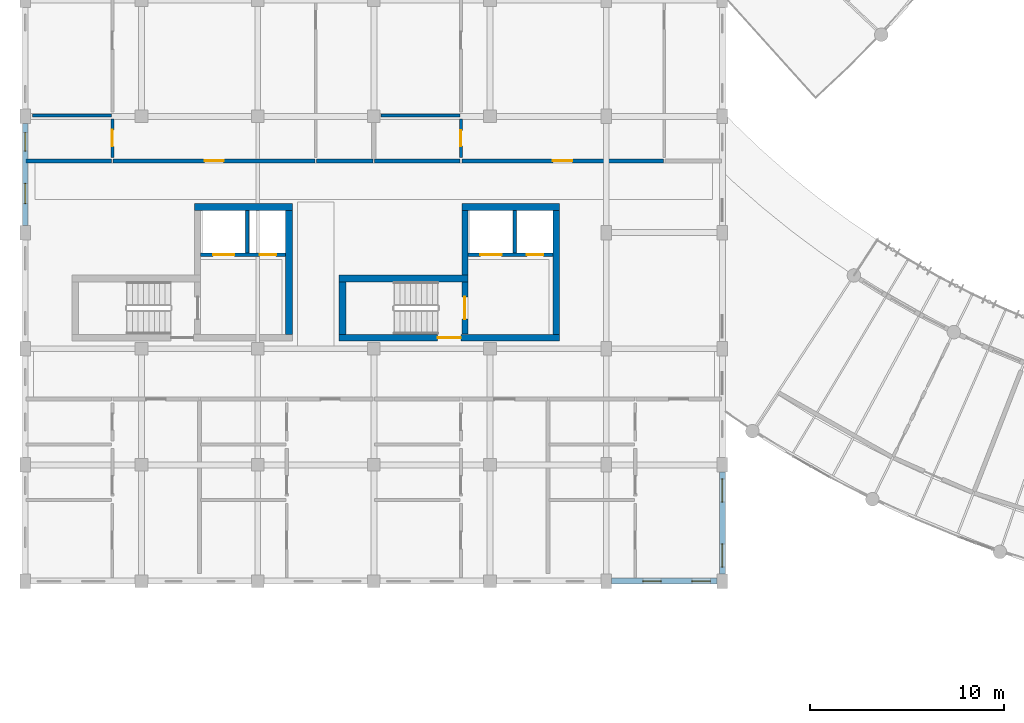
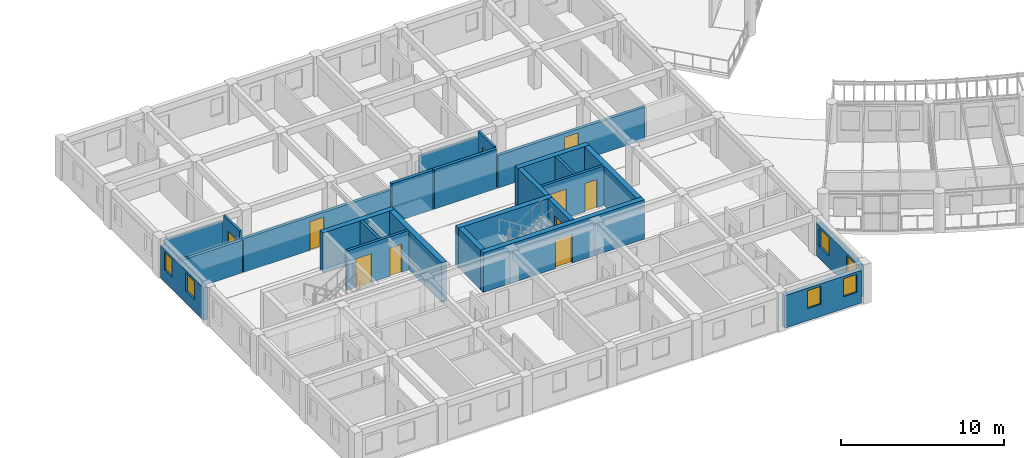
# One storey, part 76 of 123: 25 walls, 10 doors, 6 windows, 16 openings.
"""IFC4 building model written with IfcOpenShell, lengths in metres."""

from ifc_helpers import new_model, si_unit, direction, frame, frame_2d, origin, place, context, subcontext, project, spatial, rectangle, extrude, material, layer, layer_set, type_object, element, fill, save


model = new_model("IFC4")

# Units and contexts
model_context = context("Model", 3, precision=1e-05, world=origin(), true_north=direction((0.0, 1.0)))
body_context = subcontext(model_context, "Body", "Model", "MODEL_VIEW")
ifc_project = project(units=[si_unit("LENGTHUNIT", "METRE"), si_unit("AREAUNIT", "SQUARE_METRE"), si_unit("VOLUMEUNIT", "CUBIC_METRE"), si_unit("PLANEANGLEUNIT", "RADIAN"), si_unit("MASSUNIT", "GRAM", prefix="KILO"), si_unit("POWERUNIT", "WATT"), si_unit("THERMODYNAMICTEMPERATUREUNIT", "KELVIN")], contexts=[model_context])

# Site, building, storey
site_placement = place(None, origin())
site = spatial("IfcSite", under=ifc_project, at=site_placement, CompositionType="ELEMENT")
building_placement = place(site_placement, origin())
building = spatial("IfcBuilding", under=site, at=building_placement, Name="Ruvembo Vaulted Housing Court", CompositionType="ELEMENT")
storey_placement = place(building_placement, frame((0.0, 0.0, 7.699951171875)))
storey = spatial("IfcBuildingStorey", under=building, at=storey_placement, Name="L02", CompositionType="ELEMENT", Elevation=7.699951171875)

# Wall, opening, door
ifc_material_1 = material(Name="Concrete C35/45", Category="concrete")
ifc_layer_1 = layer(ifc_material_1, 0.300048828125, Name="Concrete C35/45")
ifc_layer_set_1 = layer_set([ifc_layer_1], Name="Concrete C35/45")
wall_type_1 = type_object("IfcWallType", Name="WL-CORE-300", PredefinedType="SHEAR", material=ifc_layer_set_1)
wall_1_placement = place(storey_placement, frame((22.699951171875, 18.75, 0.0), z_axis=(0.0, 0.0, 1.0), x_axis=(0.0, 1.0, 0.0)))
wall_1 = element("IfcWall", 1, at=wall_1_placement, inside=storey, type_object=wall_type_1, Name="Core A2 L02 Stair-Lobby Shear Wall", PredefinedType="SHEAR", context=body_context, shape_type="SweptSolid", body=[
    extrude(rectangle(XDim=2.699951171875, YDim=0.300048828125, at=frame_2d((1.35009765625, 0.0))), origin(), (0.0, 0.0, 1.0), 2.955078125),
])
opening_1_placement = place(wall_1_placement, frame((0.77490234375, 0.0, 0.0)))
opening_1 = element("IfcOpeningElement", 2, at=opening_1_placement, cuts=wall_1, Name="Opening SD1", PredefinedType="OPENING", context=body_context, shape_type="SweptSolid", body=[
    extrude(rectangle(XDim=1.14990234375, YDim=2.14990234375, at=frame_2d((0.574951171875, 1.074951171875))), frame((0.0, 0.159912109375, 0.0), z_axis=(0.0, -1.0, 0.0), x_axis=(1.0, 0.0, 0.0)), (0.0, 0.0, 1.0), 0.320068359375),
])
ifc_material_2 = material(Name="Galvanised Painted Steel", Category="steel")
door_type_1 = type_object("IfcDoorType", Name="DR-STAIR-1150x2150", OperationType="NOTDEFINED", PredefinedType="DOOR", material=ifc_material_2)
door_1_placement = place(opening_1_placement, origin())
door_1 = element("IfcDoor", 3, at=door_1_placement, inside=storey, type_object=door_type_1, Name="Stair ST-A2 L02 Fire Door", OperationType="SINGLE_SWING_LEFT", OverallHeight=2.14990234375, OverallWidth=1.14990234375, PredefinedType="DOOR", context=body_context, shape_type="SweptSolid", body=[
    extrude(rectangle(XDim=1.14990234375, YDim=2.14990234375, at=frame_2d((0.574951171875, 1.074951171875))), frame((0.0, 0.02490234375, 0.0), z_axis=(0.0, -1.0, 0.0), x_axis=(1.0, 0.0, 0.0)), (0.0, 0.0, 1.0), 0.050048828125),
])
fill(opening_1, door_1)

# Walls
wall_2_placement = place(storey_placement, frame((22.699951171875, 21.800048828125, 0.0), z_axis=(0.0, 0.0, 1.0), x_axis=(0.0, 1.0, 0.0)))
element("IfcWall", 4, at=wall_2_placement, inside=storey, type_object=wall_type_1, Name="Core A2 L02 Upper West Shear Wall", PredefinedType="SHEAR", context=body_context, shape_type="SweptSolid", body=[
    extrude(rectangle(XDim=3.349853515625, YDim=0.300048828125, at=frame_2d((1.6748046875, 0.0))), origin(), (0.0, 0.0, 1.0), 2.955078125),
])
ifc_layer_2 = layer(ifc_material_1, 0.35009765625, Name="Concrete C35/45")
ifc_layer_set_2 = layer_set([ifc_layer_2], Name="Concrete C35/45")
wall_type_2 = type_object("IfcWallType", Name="WL-CORE-350", PredefinedType="SHEAR", material=ifc_layer_set_2)
wall_3_placement = place(storey_placement, frame((13.800048828125, 25.324951171875, 0.0), z_axis=(0.0, 0.0, 1.0), x_axis=(-1.0, 0.0, 0.0)))
element("IfcWall", 5, at=wall_3_placement, inside=storey, type_object=wall_type_2, Name="Core A1 L02 North Shear Wall", PredefinedType="SHEAR", context=body_context, shape_type="SweptSolid", body=[
    extrude(rectangle(XDim=5.050048828125, YDim=0.35009765625, at=frame_2d((2.52490234375, 0.0))), origin(), (0.0, 0.0, 1.0), 2.955078125),
])
wall_4_placement = place(storey_placement, frame((13.625, 18.75, 0.0), z_axis=(0.0, 0.0, 1.0), x_axis=(0.0, 1.0, 0.0)))
element("IfcWall", 6, at=wall_4_placement, inside=storey, type_object=wall_type_2, Name="Core A1 L02 East Shear Wall", PredefinedType="SHEAR", context=body_context, shape_type="SweptSolid", body=[
    extrude(rectangle(XDim=6.39990234375, YDim=0.35009765625, at=frame_2d((3.199951171875, 0.0))), origin(), (0.0, 0.0, 1.0), 2.955078125),
])

# Wall, opening, door
wall_5_placement = place(storey_placement, frame((16.199951171875, 18.574951171875, 0.0), z_axis=(0.0, 0.0, 1.0), x_axis=(1.0, 0.0, 0.0)))
wall_5 = element("IfcWall", 7, at=wall_5_placement, inside=storey, type_object=wall_type_2, Name="Core A2 L02 South Shear Wall", PredefinedType="SHEAR", context=body_context, shape_type="SweptSolid", body=[
    extrude(rectangle(XDim=11.400146484375, YDim=0.35009765625, at=frame_2d((5.7001953125, 0.0))), origin(), (0.0, 0.0, 1.0), 2.955078125),
])
opening_2_placement = place(wall_5_placement, frame((5.10009765625, 0.0, 0.0)))
opening_2 = element("IfcOpeningElement", 8, at=opening_2_placement, cuts=wall_5, Name="Opening LD3", PredefinedType="OPENING", context=body_context, shape_type="SweptSolid", body=[
    extrude(rectangle(XDim=1.199951171875, YDim=2.14990234375, at=frame_2d((0.60009765625, 1.074951171875))), frame((0.0, 0.18505859375, 0.0), z_axis=(0.0, -1.0, 0.0), x_axis=(1.0, 0.0, 0.0)), (0.0, 0.0, 1.0), 0.3701171875),
])
door_type_2 = type_object("IfcDoorType", Name="DR-LOB-1200x2150", OperationType="NOTDEFINED", PredefinedType="DOOR", material=ifc_material_2)
door_2_placement = place(opening_2_placement, origin())
door_2 = element("IfcDoor", 9, at=door_2_placement, inside=storey, type_object=door_type_2, Name="Core A2 L02 Lobby Fire Door", OperationType="SINGLE_SWING_RIGHT", OverallHeight=2.14990234375, OverallWidth=1.199951171875, PredefinedType="DOOR", context=body_context, shape_type="SweptSolid", body=[
    extrude(rectangle(XDim=1.199951171875, YDim=2.14990234375, at=frame_2d((0.60009765625, 1.074951171875))), frame((0.0, 0.02490234375, 0.0), z_axis=(0.0, -1.0, 0.0), x_axis=(1.0, 0.0, 0.0)), (0.0, 0.0, 1.0), 0.050048828125),
])
fill(opening_2, door_2)

# Walls
wall_6_placement = place(storey_placement, frame((22.85009765625, 21.625, 0.0), z_axis=(0.0, 0.0, 1.0), x_axis=(-1.0, 0.0, 0.0)))
element("IfcWall", 10, at=wall_6_placement, inside=storey, type_object=wall_type_2, Name="Core A2 L02 Stair North Shear Wall", PredefinedType="SHEAR", context=body_context, shape_type="SweptSolid", body=[
    extrude(rectangle(XDim=6.650146484375, YDim=0.35009765625, at=frame_2d((3.3251953125, 0.0))), origin(), (0.0, 0.0, 1.0), 2.955078125),
])
wall_7_placement = place(storey_placement, frame((16.375, 21.449951171875, 0.0), z_axis=(0.0, 0.0, 1.0), x_axis=(0.0, -1.0, 0.0)))
element("IfcWall", 11, at=wall_7_placement, inside=storey, type_object=wall_type_2, Name="Core A2 L02 Stair West Shear Wall", PredefinedType="SHEAR", context=body_context, shape_type="SweptSolid", body=[
    extrude(rectangle(XDim=2.699951171875, YDim=0.35009765625, at=frame_2d((1.35009765625, 0.0))), origin(), (0.0, 0.0, 1.0), 2.955078125),
])
wall_8_placement = place(storey_placement, frame((27.60009765625, 25.324951171875, 0.0), z_axis=(0.0, 0.0, 1.0), x_axis=(-1.0, 0.0, 0.0)))
element("IfcWall", 12, at=wall_8_placement, inside=storey, type_object=wall_type_2, Name="Core A2 L02 North Shear Wall", PredefinedType="SHEAR", context=body_context, shape_type="SweptSolid", body=[
    extrude(rectangle(XDim=5.050048828125, YDim=0.35009765625, at=frame_2d((2.52490234375, 0.0))), origin(), (0.0, 0.0, 1.0), 2.955078125),
])
wall_9_placement = place(storey_placement, frame((27.425048828125, 18.75, 0.0), z_axis=(0.0, 0.0, 1.0), x_axis=(0.0, 1.0, 0.0)))
element("IfcWall", 13, at=wall_9_placement, inside=storey, type_object=wall_type_2, Name="Core A2 L02 East Shear Wall", PredefinedType="SHEAR", context=body_context, shape_type="SweptSolid", body=[
    extrude(rectangle(XDim=6.39990234375, YDim=0.35009765625, at=frame_2d((3.199951171875, 0.0))), origin(), (0.0, 0.0, 1.0), 2.955078125),
])
ifc_material_3 = material(Name="Concrete Blockwork 210", Category="masonry")
ifc_layer_3 = layer(ifc_material_3, 0.2099609375, Name="Concrete Blockwork 210")
ifc_layer_set_3 = layer_set([ifc_layer_3], Name="Concrete Blockwork 210")
wall_type_3 = type_object("IfcWallType", Name="WL-CORR-210", PredefinedType="SOLIDWALL", material=ifc_layer_set_3)
wall_10_placement = place(storey_placement, frame((0.0400390625, 27.699951171875, 0.0), z_axis=(0.0, 0.0, 1.0), x_axis=(1.0, 0.0, 0.0)))
element("IfcWall", 14, at=wall_10_placement, inside=storey, type_object=wall_type_3, Name="L02 Flat A-L02-N1 Corridor Wall WL-INT-L02-00514", PredefinedType="SOLIDWALL", context=body_context, shape_type="SweptSolid", body=[
    extrude(rectangle(XDim=4.419921875, YDim=0.2099609375, at=frame_2d((2.2099609375, 0.0))), origin(), (0.0, 0.0, 1.0), 2.43701171875),
])

# Wall, opening, door
wall_11_placement = place(storey_placement, frame((4.5400390625, 27.699951171875, 0.0), z_axis=(0.0, 0.0, 1.0), x_axis=(1.0, 0.0, 0.0)))
wall_11 = element("IfcWall", 15, at=wall_11_placement, inside=storey, type_object=wall_type_3, Name="L02 Flat A-L02-N1 Entrance WL-INT-L02-00515", PredefinedType="SOLIDWALL", context=body_context, shape_type="SweptSolid", body=[
    extrude(rectangle(XDim=10.419921875, YDim=0.2099609375, at=frame_2d((5.2099609375, 0.0))), origin(), (0.0, 0.0, 1.0), 2.508056640625),
])
opening_3_placement = place(wall_11_placement, frame((4.719970703125, 0.0, 0.0)))
opening_3 = element("IfcOpeningElement", 16, at=opening_3_placement, cuts=wall_11, Name="Opening FD2", PredefinedType="OPENING", context=body_context, shape_type="SweptSolid", body=[
    extrude(rectangle(XDim=0.97998046875, YDim=2.14990234375, at=frame_2d((0.489990234375, 1.074951171875))), frame((0.0, 0.114990234375, 0.0), z_axis=(0.0, -1.0, 0.0), x_axis=(1.0, 0.0, 0.0)), (0.0, 0.0, 1.0), 0.22998046875),
])
ifc_material_4 = material(Name="FSC Hardwood and Engineered Timber", Category="wood")
door_type_3 = type_object("IfcDoorType", Name="DR-FLAT-0980x2150", OperationType="NOTDEFINED", PredefinedType="DOOR", material=ifc_material_4)
door_3_placement = place(opening_3_placement, origin())
door_3 = element("IfcDoor", 17, at=door_3_placement, inside=storey, type_object=door_type_3, Name="L02 Flat A-L02-N1 Entrance Door DR-INT-L02-00280", OperationType="SINGLE_SWING_RIGHT", OverallHeight=2.14990234375, OverallWidth=0.97998046875, PredefinedType="DOOR", context=body_context, shape_type="SweptSolid", body=[
    extrude(rectangle(XDim=0.97998046875, YDim=2.14990234375, at=frame_2d((0.489990234375, 1.074951171875))), frame((0.0, 0.02490234375, 0.0), z_axis=(0.0, -1.0, 0.0), x_axis=(1.0, 0.0, 0.0)), (0.0, 0.0, 1.0), 0.050048828125),
])
fill(opening_3, door_3)

# Walls
wall_12_placement = place(storey_placement, frame((15.0400390625, 27.699951171875, 0.0), z_axis=(0.0, 0.0, 1.0), x_axis=(1.0, 0.0, 0.0)))
element("IfcWall", 18, at=wall_12_placement, inside=storey, type_object=wall_type_3, Name="L02 Flat A-L02-N1 Corridor Wall 2 WL-INT-L02-00521", PredefinedType="SOLIDWALL", context=body_context, shape_type="SweptSolid", body=[
    extrude(rectangle(XDim=2.919921875, YDim=0.2099609375, at=frame_2d((1.4599609375, 0.0))), origin(), (0.0, 0.0, 1.0), 2.955078125),
])
wall_13_placement = place(storey_placement, frame((18.0400390625, 27.699951171875, 0.0), z_axis=(0.0, 0.0, 1.0), x_axis=(1.0, 0.0, 0.0)))
element("IfcWall", 19, at=wall_13_placement, inside=storey, type_object=wall_type_3, Name="L02 Flat A-L02-N2 Corridor Wall WL-INT-L02-00523", PredefinedType="SOLIDWALL", context=body_context, shape_type="SweptSolid", body=[
    extrude(rectangle(XDim=4.419921875, YDim=0.2099609375, at=frame_2d((2.2099609375, 0.0))), origin(), (0.0, 0.0, 1.0), 2.955078125),
])

# Wall, opening, door
wall_14_placement = place(storey_placement, frame((22.5400390625, 27.699951171875, 0.0), z_axis=(0.0, 0.0, 1.0), x_axis=(1.0, 0.0, 0.0)))
wall_14 = element("IfcWall", 20, at=wall_14_placement, inside=storey, type_object=wall_type_3, Name="L02 Flat A-L02-N2 Entrance WL-INT-L02-00524", PredefinedType="SOLIDWALL", context=body_context, shape_type="SweptSolid", body=[
    extrude(rectangle(XDim=10.419921875, YDim=0.2099609375, at=frame_2d((5.2099609375, 0.0))), origin(), (0.0, 0.0, 1.0), 2.43701171875),
])
opening_4_placement = place(wall_14_placement, frame((4.7099609375, 0.0, 0.0)))
opening_4 = element("IfcOpeningElement", 21, at=opening_4_placement, cuts=wall_14, Name="Opening FD1", PredefinedType="OPENING", context=body_context, shape_type="SweptSolid", body=[
    extrude(rectangle(XDim=1.0, YDim=2.14990234375, at=frame_2d((0.5, 1.074951171875))), frame((0.0, 0.114990234375, 0.0), z_axis=(0.0, -1.0, 0.0), x_axis=(1.0, 0.0, 0.0)), (0.0, 0.0, 1.0), 0.22998046875),
])
door_type_4 = type_object("IfcDoorType", Name="DR-FLAT-1000x2150", OperationType="NOTDEFINED", PredefinedType="DOOR", material=ifc_material_4)
door_4_placement = place(opening_4_placement, origin())
door_4 = element("IfcDoor", 22, at=door_4_placement, inside=storey, type_object=door_type_4, Name="L02 Flat A-L02-N2 Entrance Door DR-INT-L02-00285", OperationType="SINGLE_SWING_LEFT", OverallHeight=2.14990234375, OverallWidth=1.0, PredefinedType="DOOR", context=body_context, shape_type="SweptSolid", body=[
    extrude(rectangle(XDim=1.0, YDim=2.14990234375, at=frame_2d((0.5, 1.074951171875))), frame((0.0, 0.02490234375, 0.0), z_axis=(0.0, -1.0, 0.0), x_axis=(1.0, 0.0, 0.0)), (0.0, 0.0, 1.0), 0.050048828125),
])
fill(opening_4, door_4)

# Wall, openings, windows
ifc_material_5 = material(Name="Rendered Masonry 300", Category="masonry")
ifc_layer_4 = layer(ifc_material_5, 0.300048828125, Name="Rendered Masonry 300")
ifc_layer_set_4 = layer_set([ifc_layer_4], Name="Rendered Masonry 300")
wall_type_4 = type_object("IfcWallType", Name="WL-EXT-300", PredefinedType="STANDARD", material=ifc_layer_set_4)
wall_15_placement = place(storey_placement, frame((30.27490234375, 6.0, 0.0), z_axis=(0.0, 0.0, 1.0), x_axis=(1.0, 0.0, 0.0)))
wall_15 = element("IfcWall", 23, at=wall_15_placement, inside=storey, type_object=wall_type_4, Name="Block A L02 Exterior Wall STREET #6", PredefinedType="STANDARD", context=body_context, shape_type="SweptSolid", body=[
    extrude(rectangle(XDim=5.4501953125, YDim=0.300048828125, at=frame_2d((2.72509765625, 0.0))), origin(), (0.0, 0.0, 1.0), 2.43701171875),
])
opening_5_placement = place(wall_15_placement, frame((1.614990234375, 0.0, 0.89990234375)))
opening_5 = element("IfcOpeningElement", 24, at=opening_5_placement, cuts=wall_15, Name="Opening W07", PredefinedType="OPENING", context=body_context, shape_type="SweptSolid", body=[
    extrude(rectangle(XDim=0.949951171875, YDim=1.35009765625, at=frame_2d((0.47509765625, 0.675048828125))), frame((0.0, 0.159912109375, 0.0), z_axis=(0.0, -1.0, 0.0), x_axis=(1.0, 0.0, 0.0)), (0.0, 0.0, 1.0), 0.320068359375),
])
opening_6_placement = place(wall_15_placement, frame((4.14990234375, 0.0, 0.89990234375)))
opening_6 = element("IfcOpeningElement", 25, at=opening_6_placement, cuts=wall_15, Name="Opening W07", PredefinedType="OPENING", context=body_context, shape_type="SweptSolid", body=[
    extrude(rectangle(XDim=0.949951171875, YDim=1.35009765625, at=frame_2d((0.47509765625, 0.675048828125))), frame((0.0, 0.159912109375, 0.0), z_axis=(0.0, -1.0, 0.0), x_axis=(1.0, 0.0, 0.0)), (0.0, 0.0, 1.0), 0.320068359375),
])
ifc_material_6 = material(Name="Double Solar-Control Glazing in Aluminium Frame", Category="aluminium")
window_type_1 = type_object("IfcWindowType", Name="WIN-0950x1350", PartitioningType="SINGLE_PANEL", PredefinedType="WINDOW", material=ifc_material_6)
window_1_placement = place(opening_5_placement, origin())
window_1 = element("IfcWindow", 26, at=window_1_placement, inside=storey, type_object=window_type_1, Name="Block A L02 Window #93", OverallHeight=1.35009765625, OverallWidth=0.949951171875, PartitioningType="SINGLE_PANEL", PredefinedType="WINDOW", context=body_context, shape_type="SweptSolid", body=[
    extrude(rectangle(XDim=0.949951171875, YDim=1.35009765625, at=frame_2d((0.47509765625, 0.675048828125))), frame((0.0, 0.030029296875, 0.0), z_axis=(0.0, -1.0, 0.0), x_axis=(1.0, 0.0, 0.0)), (0.0, 0.0, 1.0), 0.06005859375),
])
fill(opening_5, window_1)
window_2_placement = place(opening_6_placement, origin())
window_2 = element("IfcWindow", 27, at=window_2_placement, inside=storey, type_object=window_type_1, Name="Block A L02 Window #94", OverallHeight=1.35009765625, OverallWidth=0.949951171875, PartitioningType="SINGLE_PANEL", PredefinedType="WINDOW", context=body_context, shape_type="SweptSolid", body=[
    extrude(rectangle(XDim=0.949951171875, YDim=1.35009765625, at=frame_2d((0.47509765625, 0.675048828125))), frame((0.0, 0.030029296875, 0.0), z_axis=(0.0, -1.0, 0.0), x_axis=(1.0, 0.0, 0.0)), (0.0, 0.0, 1.0), 0.06005859375),
])
fill(opening_6, window_2)

wall_16_placement = place(storey_placement, frame((36.0, 6.375, 0.0), z_axis=(0.0, 0.0, 1.0), x_axis=(0.0, 1.0, 0.0)))
wall_16 = element("IfcWall", 28, at=wall_16_placement, inside=storey, type_object=wall_type_4, Name="Block A L02 Exterior Wall EAST #1", PredefinedType="STANDARD", context=body_context, shape_type="SweptSolid", body=[
    extrude(rectangle(XDim=5.25, YDim=0.300048828125, at=frame_2d((2.625, 0.0))), origin(), (0.0, 0.0, 1.0), 2.43701171875),
])
opening_7_placement = place(wall_16_placement, frame((0.35009765625, 0.0, 0.89990234375)))
opening_7 = element("IfcOpeningElement", 29, at=opening_7_placement, cuts=wall_16, Name="Opening W12", PredefinedType="OPENING", context=body_context, shape_type="SweptSolid", body=[
    extrude(rectangle(XDim=1.199951171875, YDim=1.35009765625, at=frame_2d((0.60009765625, 0.675048828125))), frame((0.0, 0.159912109375, 0.0), z_axis=(0.0, -1.0, 0.0), x_axis=(1.0, 0.0, 0.0)), (0.0, 0.0, 1.0), 0.320068359375),
])
opening_8_placement = place(wall_16_placement, frame((3.699951171875, 0.0, 0.89990234375)))
opening_8 = element("IfcOpeningElement", 30, at=opening_8_placement, cuts=wall_16, Name="Opening W12", PredefinedType="OPENING", context=body_context, shape_type="SweptSolid", body=[
    extrude(rectangle(XDim=1.199951171875, YDim=1.35009765625, at=frame_2d((0.60009765625, 0.675048828125))), frame((0.0, 0.159912109375, 0.0), z_axis=(0.0, -1.0, 0.0), x_axis=(1.0, 0.0, 0.0)), (0.0, 0.0, 1.0), 0.320068359375),
])
window_type_2 = type_object("IfcWindowType", Name="WIN-1200x1350", PartitioningType="SINGLE_PANEL", PredefinedType="WINDOW", material=ifc_material_6)
window_3_placement = place(opening_7_placement, origin())
window_3 = element("IfcWindow", 31, at=window_3_placement, inside=storey, type_object=window_type_2, Name="Block A L02 Window #95", OverallHeight=1.35009765625, OverallWidth=1.199951171875, PartitioningType="SINGLE_PANEL", PredefinedType="WINDOW", context=body_context, shape_type="SweptSolid", body=[
    extrude(rectangle(XDim=1.199951171875, YDim=1.35009765625, at=frame_2d((0.60009765625, 0.675048828125))), frame((0.0, 0.030029296875, 0.0), z_axis=(0.0, -1.0, 0.0), x_axis=(1.0, 0.0, 0.0)), (0.0, 0.0, 1.0), 0.06005859375),
])
fill(opening_7, window_3)
window_4_placement = place(opening_8_placement, origin())
window_4 = element("IfcWindow", 32, at=window_4_placement, inside=storey, type_object=window_type_2, Name="Block A L02 Window #96", OverallHeight=1.35009765625, OverallWidth=1.199951171875, PartitioningType="SINGLE_PANEL", PredefinedType="WINDOW", context=body_context, shape_type="SweptSolid", body=[
    extrude(rectangle(XDim=1.199951171875, YDim=1.35009765625, at=frame_2d((0.60009765625, 0.675048828125))), frame((0.0, 0.030029296875, 0.0), z_axis=(0.0, -1.0, 0.0), x_axis=(1.0, 0.0, 0.0)), (0.0, 0.0, 1.0), 0.06005859375),
])
fill(opening_8, window_4)

wall_17_placement = place(storey_placement, frame((0.0, 29.625, 0.0), z_axis=(0.0, 0.0, 1.0), x_axis=(0.0, -1.0, 0.0)))
wall_17 = element("IfcWall", 33, at=wall_17_placement, inside=storey, type_object=wall_type_4, Name="Block A L02 Exterior Wall WEST #3", PredefinedType="STANDARD", context=body_context, shape_type="SweptSolid", body=[
    extrude(rectangle(XDim=5.25, YDim=0.300048828125, at=frame_2d((2.625, 0.0))), origin(), (0.0, 0.0, 1.0), 2.43701171875),
])
opening_9_placement = place(wall_17_placement, frame((0.467529296875, 0.0, 0.89990234375)))
opening_9 = element("IfcOpeningElement", 34, at=opening_9_placement, cuts=wall_17, Name="Opening W07", PredefinedType="OPENING", context=body_context, shape_type="SweptSolid", body=[
    extrude(rectangle(XDim=0.949951171875, YDim=1.35009765625, at=frame_2d((0.47509765625, 0.675048828125))), frame((0.0, 0.159912109375, 0.0), z_axis=(0.0, -1.0, 0.0), x_axis=(1.0, 0.0, 0.0)), (0.0, 0.0, 1.0), 0.320068359375),
])
opening_10_placement = place(wall_17_placement, frame((3.08251953125, 0.0, 0.89990234375)))
opening_10 = element("IfcOpeningElement", 35, at=opening_10_placement, cuts=wall_17, Name="Opening W09", PredefinedType="OPENING", context=body_context, shape_type="SweptSolid", body=[
    extrude(rectangle(XDim=1.050048828125, YDim=1.35009765625, at=frame_2d((0.52490234375, 0.675048828125))), frame((0.0, 0.159912109375, 0.0), z_axis=(0.0, -1.0, 0.0), x_axis=(1.0, 0.0, 0.0)), (0.0, 0.0, 1.0), 0.320068359375),
])
window_5_placement = place(opening_9_placement, origin())
window_5 = element("IfcWindow", 36, at=window_5_placement, inside=storey, type_object=window_type_1, Name="Block A L02 Window #117", OverallHeight=1.35009765625, OverallWidth=0.949951171875, PartitioningType="SINGLE_PANEL", PredefinedType="WINDOW", context=body_context, shape_type="SweptSolid", body=[
    extrude(rectangle(XDim=0.949951171875, YDim=1.35009765625, at=frame_2d((0.47509765625, 0.675048828125))), frame((0.0, 0.030029296875, 0.0), z_axis=(0.0, -1.0, 0.0), x_axis=(1.0, 0.0, 0.0)), (0.0, 0.0, 1.0), 0.06005859375),
])
fill(opening_9, window_5)
window_type_3 = type_object("IfcWindowType", Name="WIN-1050x1350", PartitioningType="SINGLE_PANEL", PredefinedType="WINDOW", material=ifc_material_6)
window_6_placement = place(opening_10_placement, origin())
window_6 = element("IfcWindow", 37, at=window_6_placement, inside=storey, type_object=window_type_3, Name="Block A L02 Window #118", OverallHeight=1.35009765625, OverallWidth=1.050048828125, PartitioningType="SINGLE_PANEL", PredefinedType="WINDOW", context=body_context, shape_type="SweptSolid", body=[
    extrude(rectangle(XDim=1.050048828125, YDim=1.35009765625, at=frame_2d((0.52490234375, 0.675048828125))), frame((0.0, 0.030029296875, 0.0), z_axis=(0.0, -1.0, 0.0), x_axis=(1.0, 0.0, 0.0)), (0.0, 0.0, 1.0), 0.06005859375),
])
fill(opening_10, window_6)

# Wall, opening, door
ifc_material_7 = material(Name="Moisture-Resistant Wet Partition 150", Category="gypsum")
ifc_layer_5 = layer(ifc_material_7, 0.14990234375, Name="Moisture-Resistant Wet Partition 150")
ifc_layer_set_5 = layer_set([ifc_layer_5], Name="Moisture-Resistant Wet Partition 150")
wall_type_5 = type_object("IfcWallType", Name="WL-PART-150", PredefinedType="PARTITIONING", material=ifc_layer_set_5)
wall_18_placement = place(storey_placement, frame((4.5, 27.889892578125, 0.0), z_axis=(0.0, 0.0, 1.0), x_axis=(0.0, 1.0, 0.0)))
wall_18 = element("IfcWall", 38, at=wall_18_placement, inside=storey, type_object=wall_type_5, Name="L02 Flat A-L02-N1 Bathroom WL-INT-L02-00518", PredefinedType="PARTITIONING", context=body_context, shape_type="SweptSolid", body=[
    extrude(rectangle(XDim=1.97021484375, YDim=0.14990234375, at=frame_2d((0.985107421875, 0.0))), origin(), (0.0, 0.0, 1.0), 2.955078125),
])
opening_11_placement = place(wall_18_placement, frame((0.56005859375, 0.0, 0.0)))
opening_11 = element("IfcOpeningElement", 39, at=opening_11_placement, cuts=wall_18, Name="Opening ID2", PredefinedType="OPENING", context=body_context, shape_type="SweptSolid", body=[
    extrude(rectangle(XDim=0.85009765625, YDim=2.10009765625, at=frame_2d((0.425048828125, 1.050048828125))), frame((0.0, 0.0849609375, 0.0), z_axis=(0.0, -1.0, 0.0), x_axis=(1.0, 0.0, 0.0)), (0.0, 0.0, 1.0), 0.169921875),
])
door_type_5 = type_object("IfcDoorType", Name="DR-WET-0850x2100", OperationType="NOTDEFINED", PredefinedType="DOOR", material=ifc_material_4)
door_5_placement = place(opening_11_placement, origin())
door_5 = element("IfcDoor", 40, at=door_5_placement, inside=storey, type_object=door_type_5, Name="L02 Flat A-L02-N1 Bathroom Door DR-INT-L02-00283", OperationType="SINGLE_SWING_LEFT", OverallHeight=2.10009765625, OverallWidth=0.85009765625, PredefinedType="DOOR", context=body_context, shape_type="SweptSolid", body=[
    extrude(rectangle(XDim=0.85009765625, YDim=2.10009765625, at=frame_2d((0.425048828125, 1.050048828125))), frame((0.0, 0.02490234375, 0.0), z_axis=(0.0, -1.0, 0.0), x_axis=(1.0, 0.0, 0.0)), (0.0, 0.0, 1.0), 0.050048828125),
])
fill(opening_11, door_5)

# Wall
wall_19_placement = place(storey_placement, frame((0.360107421875, 30.050048828125, 0.0), z_axis=(0.0, 0.0, 1.0), x_axis=(1.0, 0.0, 0.0)))
element("IfcWall", 41, at=wall_19_placement, inside=storey, type_object=wall_type_5, Name="L02 Flat A-L02-N1 Wet Wall 2 WL-INT-L02-00520", PredefinedType="PARTITIONING", context=body_context, shape_type="SweptSolid", body=[
    extrude(rectangle(XDim=4.099853515625, YDim=0.14990234375, at=frame_2d((2.0498046875, 0.0))), origin(), (0.0, 0.0, 1.0), 2.43701171875),
])

# Wall, opening, door
wall_20_placement = place(storey_placement, frame((22.5, 27.889892578125, 0.0), z_axis=(0.0, 0.0, 1.0), x_axis=(0.0, 1.0, 0.0)))
wall_20 = element("IfcWall", 42, at=wall_20_placement, inside=storey, type_object=wall_type_5, Name="L02 Flat A-L02-N2 Bathroom WL-INT-L02-00527", PredefinedType="PARTITIONING", context=body_context, shape_type="SweptSolid", body=[
    extrude(rectangle(XDim=1.97021484375, YDim=0.14990234375, at=frame_2d((0.985107421875, 0.0))), origin(), (0.0, 0.0, 1.0), 2.955078125),
])
opening_12_placement = place(wall_20_placement, frame((0.574951171875, 0.0, 0.0)))
opening_12 = element("IfcOpeningElement", 43, at=opening_12_placement, cuts=wall_20, Name="Opening ID4", PredefinedType="OPENING", context=body_context, shape_type="SweptSolid", body=[
    extrude(rectangle(XDim=0.820068359375, YDim=2.080078125, at=frame_2d((0.41015625, 1.0400390625))), frame((0.0, 0.0849609375, 0.0), z_axis=(0.0, -1.0, 0.0), x_axis=(1.0, 0.0, 0.0)), (0.0, 0.0, 1.0), 0.169921875),
])
door_type_6 = type_object("IfcDoorType", Name="DR-WET-0820x2080", OperationType="NOTDEFINED", PredefinedType="DOOR", material=ifc_material_4)
door_6_placement = place(opening_12_placement, origin())
door_6 = element("IfcDoor", 44, at=door_6_placement, inside=storey, type_object=door_type_6, Name="L02 Flat A-L02-N2 Bathroom Door DR-INT-L02-00288", OperationType="SINGLE_SWING_RIGHT", OverallHeight=2.080078125, OverallWidth=0.820068359375, PredefinedType="DOOR", context=body_context, shape_type="SweptSolid", body=[
    extrude(rectangle(XDim=0.820068359375, YDim=2.080078125, at=frame_2d((0.41015625, 1.0400390625))), frame((0.0, 0.02490234375, 0.0), z_axis=(0.0, -1.0, 0.0), x_axis=(1.0, 0.0, 0.0)), (0.0, 0.0, 1.0), 0.050048828125),
])
fill(opening_12, door_6)

# Wall
wall_21_placement = place(storey_placement, frame((18.360107421875, 30.050048828125, 0.0), z_axis=(0.0, 0.0, 1.0), x_axis=(1.0, 0.0, 0.0)))
element("IfcWall", 45, at=wall_21_placement, inside=storey, type_object=wall_type_5, Name="L02 Flat A-L02-N2 Wet Wall 2 WL-INT-L02-00529", PredefinedType="PARTITIONING", context=body_context, shape_type="SweptSolid", body=[
    extrude(rectangle(XDim=4.099853515625, YDim=0.14990234375, at=frame_2d((2.0498046875, 0.0))), origin(), (0.0, 0.0, 1.0), 2.43701171875),
])

# Wall, openings, doors
ifc_material_8 = material(Name="Fire-Rated Masonry Shaft 180", Category="masonry")
ifc_layer_6 = layer(ifc_material_8, 0.179931640625, Name="Fire-Rated Masonry Shaft 180")
ifc_layer_set_6 = layer_set([ifc_layer_6], Name="Fire-Rated Masonry Shaft 180")
wall_type_6 = type_object("IfcWallType", Name="WL-SHAFT-180", PredefinedType="SOLIDWALL", material=ifc_layer_set_6)
wall_22_placement = place(storey_placement, frame((9.050048828125, 22.85009765625, 0.0), z_axis=(0.0, 0.0, 1.0), x_axis=(1.0, 0.0, 0.0)))
wall_22 = element("IfcWall", 46, at=wall_22_placement, inside=storey, type_object=wall_type_6, Name="Core A1 L02 Lift and Riser Front Wall", PredefinedType="SOLIDWALL", context=body_context, shape_type="SweptSolid", body=[
    extrude(rectangle(XDim=4.39990234375, YDim=0.179931640625, at=frame_2d((2.199951171875, 0.0))), origin(), (0.0, 0.0, 1.0), 2.955078125),
])
opening_13_placement = place(wall_22_placement, frame((0.64990234375, 0.0, 0.0)))
opening_13 = element("IfcOpeningElement", 47, at=opening_13_placement, cuts=wall_22, Name="Opening LD-FL-A1-L02", PredefinedType="OPENING", context=body_context, shape_type="SweptSolid", body=[
    extrude(rectangle(XDim=1.10009765625, YDim=2.14990234375, at=frame_2d((0.550048828125, 1.074951171875))), frame((0.0, 0.099853515625, 0.0), z_axis=(0.0, -1.0, 0.0), x_axis=(1.0, 0.0, 0.0)), (0.0, 0.0, 1.0), 0.199951171875),
])
opening_14_placement = place(wall_22_placement, frame((3.050048828125, 0.0, 0.0)))
opening_14 = element("IfcOpeningElement", 48, at=opening_14_placement, cuts=wall_22, Name="Opening RD1", PredefinedType="OPENING", context=body_context, shape_type="SweptSolid", body=[
    extrude(rectangle(XDim=0.85009765625, YDim=2.10009765625, at=frame_2d((0.425048828125, 1.050048828125))), frame((0.0, 0.099853515625, 0.0), z_axis=(0.0, -1.0, 0.0), x_axis=(1.0, 0.0, 0.0)), (0.0, 0.0, 1.0), 0.199951171875),
])
ifc_material_9 = material(Name="Brushed Stainless Steel 304", Category="steel")
door_type_7 = type_object("IfcDoorType", Name="DR-LIFT-1100x2150", OperationType="NOTDEFINED", PredefinedType="DOOR", material=ifc_material_9)
door_7_placement = place(opening_13_placement, origin())
door_7 = element("IfcDoor", 49, at=door_7_placement, inside=storey, type_object=door_type_7, Name="Lift FL-A1 L02 Sliding Landing Door", OperationType="SLIDING_TO_LEFT", OverallHeight=2.14990234375, OverallWidth=1.10009765625, PredefinedType="DOOR", context=body_context, shape_type="SweptSolid", body=[
    extrude(rectangle(XDim=1.10009765625, YDim=2.14990234375, at=frame_2d((0.550048828125, 1.074951171875))), frame((0.0, 0.02490234375, 0.0), z_axis=(0.0, -1.0, 0.0), x_axis=(1.0, 0.0, 0.0)), (0.0, 0.0, 1.0), 0.050048828125),
])
fill(opening_13, door_7)
door_type_8 = type_object("IfcDoorType", Name="DR-RISER-0850x2100", OperationType="NOTDEFINED", PredefinedType="DOOR", material=ifc_material_2)
door_8_placement = place(opening_14_placement, frame((0.85009765625, 0.0, 0.0), z_axis=(0.0, 0.0, 1.0), x_axis=(-1.0, 0.0, 0.0)))
door_8 = element("IfcDoor", 50, at=door_8_placement, inside=storey, type_object=door_type_8, Name="Core A1 L02 Service Riser Door", OperationType="SINGLE_SWING_RIGHT", OverallHeight=2.10009765625, OverallWidth=0.85009765625, PredefinedType="DOOR", context=body_context, shape_type="SweptSolid", body=[
    extrude(rectangle(XDim=0.85009765625, YDim=2.10009765625, at=frame_2d((0.425048828125, 1.050048828125))), frame((0.0, 0.02490234375, 0.0), z_axis=(0.0, -1.0, 0.0), x_axis=(1.0, 0.0, 0.0)), (0.0, 0.0, 1.0), 0.050048828125),
])
fill(opening_14, door_8)

# Wall
wall_23_placement = place(storey_placement, frame((11.469970703125, 22.93994140625, 0.0), z_axis=(0.0, 0.0, 1.0), x_axis=(0.0, 1.0, 0.0)))
element("IfcWall", 51, at=wall_23_placement, inside=storey, type_object=wall_type_6, Name="Core A1 L02 Shaft-Riser Divider Wall", PredefinedType="SOLIDWALL", context=body_context, shape_type="SweptSolid", body=[
    extrude(rectangle(XDim=2.2099609375, YDim=0.179931640625, at=frame_2d((1.10498046875, 0.0))), origin(), (0.0, 0.0, 1.0), 2.955078125),
])

# Wall, openings, doors
wall_24_placement = place(storey_placement, frame((22.85009765625, 22.85009765625, 0.0), z_axis=(0.0, 0.0, 1.0), x_axis=(1.0, 0.0, 0.0)))
wall_24 = element("IfcWall", 52, at=wall_24_placement, inside=storey, type_object=wall_type_6, Name="Core A2 L02 Lift and Riser Front Wall", PredefinedType="SOLIDWALL", context=body_context, shape_type="SweptSolid", body=[
    extrude(rectangle(XDim=4.39990234375, YDim=0.179931640625, at=frame_2d((2.199951171875, 0.0))), origin(), (0.0, 0.0, 1.0), 2.955078125),
])
opening_15_placement = place(wall_24_placement, frame((0.64990234375, 0.0, 0.0)))
opening_15 = element("IfcOpeningElement", 53, at=opening_15_placement, cuts=wall_24, Name="Opening LD-FL-A2-L02", PredefinedType="OPENING", context=body_context, shape_type="SweptSolid", body=[
    extrude(rectangle(XDim=1.10009765625, YDim=2.14990234375, at=frame_2d((0.550048828125, 1.074951171875))), frame((0.0, 0.099853515625, 0.0), z_axis=(0.0, -1.0, 0.0), x_axis=(1.0, 0.0, 0.0)), (0.0, 0.0, 1.0), 0.199951171875),
])
opening_16_placement = place(wall_24_placement, frame((3.050048828125, 0.0, 0.0)))
opening_16 = element("IfcOpeningElement", 54, at=opening_16_placement, cuts=wall_24, Name="Opening RD1", PredefinedType="OPENING", context=body_context, shape_type="SweptSolid", body=[
    extrude(rectangle(XDim=0.85009765625, YDim=2.10009765625, at=frame_2d((0.425048828125, 1.050048828125))), frame((0.0, 0.099853515625, 0.0), z_axis=(0.0, -1.0, 0.0), x_axis=(1.0, 0.0, 0.0)), (0.0, 0.0, 1.0), 0.199951171875),
])
door_9_placement = place(opening_15_placement, origin())
door_9 = element("IfcDoor", 55, at=door_9_placement, inside=storey, type_object=door_type_7, Name="Lift FL-A2 L02 Sliding Landing Door", OperationType="SLIDING_TO_LEFT", OverallHeight=2.14990234375, OverallWidth=1.10009765625, PredefinedType="DOOR", context=body_context, shape_type="SweptSolid", body=[
    extrude(rectangle(XDim=1.10009765625, YDim=2.14990234375, at=frame_2d((0.550048828125, 1.074951171875))), frame((0.0, 0.02490234375, 0.0), z_axis=(0.0, -1.0, 0.0), x_axis=(1.0, 0.0, 0.0)), (0.0, 0.0, 1.0), 0.050048828125),
])
fill(opening_15, door_9)
door_10_placement = place(opening_16_placement, frame((0.85009765625, 0.0, 0.0), z_axis=(0.0, 0.0, 1.0), x_axis=(-1.0, 0.0, 0.0)))
door_10 = element("IfcDoor", 56, at=door_10_placement, inside=storey, type_object=door_type_8, Name="Core A2 L02 Service Riser Door", OperationType="SINGLE_SWING_RIGHT", OverallHeight=2.10009765625, OverallWidth=0.85009765625, PredefinedType="DOOR", context=body_context, shape_type="SweptSolid", body=[
    extrude(rectangle(XDim=0.85009765625, YDim=2.10009765625, at=frame_2d((0.425048828125, 1.050048828125))), frame((0.0, 0.02490234375, 0.0), z_axis=(0.0, -1.0, 0.0), x_axis=(1.0, 0.0, 0.0)), (0.0, 0.0, 1.0), 0.050048828125),
])
fill(opening_16, door_10)

# Wall
wall_25_placement = place(storey_placement, frame((25.27001953125, 22.93994140625, 0.0), z_axis=(0.0, 0.0, 1.0), x_axis=(0.0, 1.0, 0.0)))
element("IfcWall", 57, at=wall_25_placement, inside=storey, type_object=wall_type_6, Name="Core A2 L02 Shaft-Riser Divider Wall", PredefinedType="SOLIDWALL", context=body_context, shape_type="SweptSolid", body=[
    extrude(rectangle(XDim=2.2099609375, YDim=0.179931640625, at=frame_2d((1.10498046875, 0.0))), origin(), (0.0, 0.0, 1.0), 2.955078125),
])

save(model, "model.ifc")
